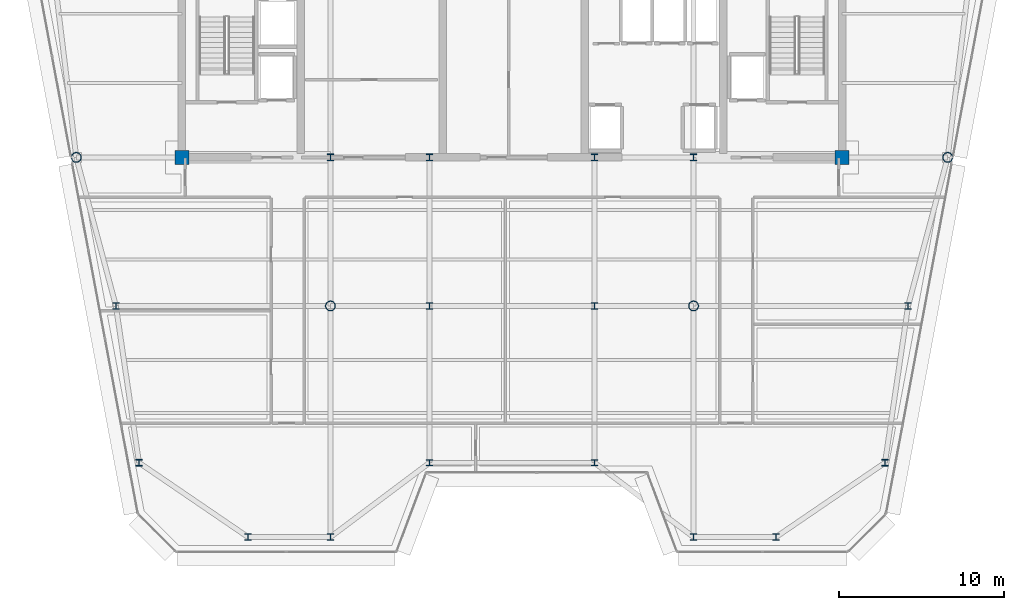
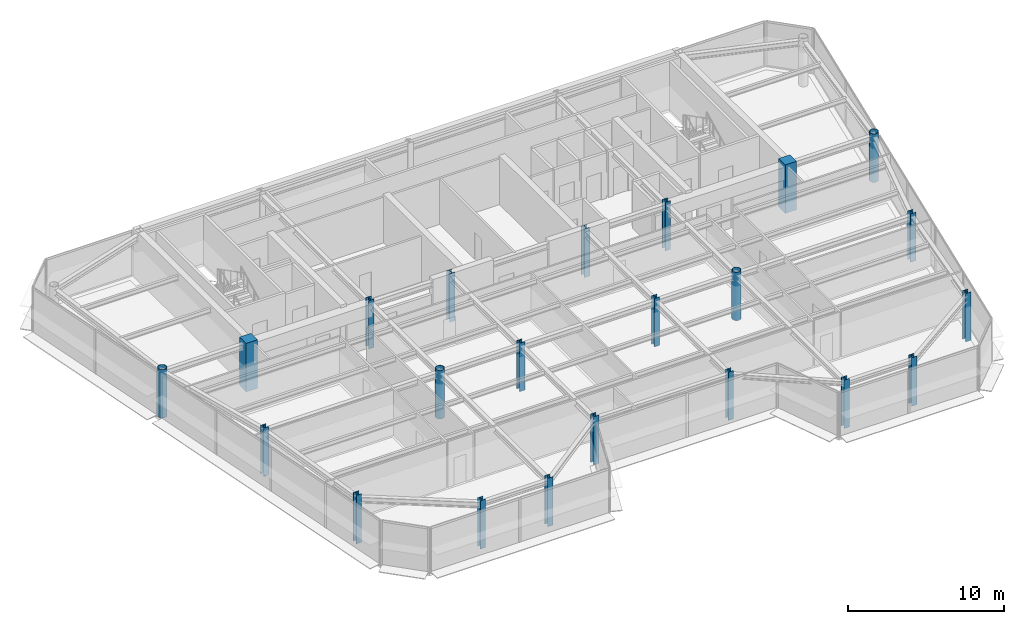
# One storey, part 1 of 20: 22 columns.
"""IFC4 building model written with IfcOpenShell, lengths in metres."""

from ifc_helpers import new_model, si_unit, direction, frame, origin, origin_2d, place, context, subcontext, project, spatial, rectangle, hollow_circle, i_section, extrude, source, transform, mapped, material, material_profile, profile_set, type_object, element, save


model = new_model("IFC4")

# Units and contexts
model_context = context("Model", 3, precision=1e-05, world=origin(), true_north=direction((0.0, 1.0)))
body_context = subcontext(model_context, "Body", "Model", "MODEL_VIEW")
ifc_project = project(units=[si_unit("LENGTHUNIT", "METRE"), si_unit("AREAUNIT", "SQUARE_METRE"), si_unit("VOLUMEUNIT", "CUBIC_METRE"), si_unit("PLANEANGLEUNIT", "RADIAN"), si_unit("MASSUNIT", "GRAM", prefix="KILO")], contexts=[model_context])

# Site, building, storey
site_placement = place(None, origin())
site = spatial("IfcSite", under=ifc_project, at=site_placement, CompositionType="ELEMENT")
building_placement = place(site_placement, origin())
building = spatial("IfcBuilding", under=site, at=building_placement, Name="Vaeldorn Concourse Tower", CompositionType="ELEMENT")
storey_placement = place(building_placement, frame((0.0, 0.0, 284.0)))
storey = spatial("IfcBuildingStorey", under=building, at=storey_placement, Name="L73", CompositionType="ELEMENT", Elevation=284.0)

# Columns
ifc_material_1 = material(Name="Concrete C50/60", Category="concrete")
ifc_material_profile_1 = material_profile(ifc_material_1, rectangle(XDim=0.85009765625, YDim=0.85009765625, at=origin_2d()), Name="RC 850x850")
ifc_profile_set_1 = profile_set([ifc_material_profile_1], Name="Concrete C50/60")
column_type_1 = type_object("IfcColumnType", Name="COL-RC850", PredefinedType="COLUMN", material=ifc_profile_set_1)
shared_shape_1 = source(origin(), body_context, "Body", "SweptSolid", [
    extrude(rectangle(XDim=0.85009765625, YDim=0.85009765625, at=origin_2d()), origin(), (0.0, 0.0, 1.0), 3.800048828125),
])
for number, where, z_axis, x_axis, name in (
    (1, (14.0, 36.5, 0.0), (0.0, 0.0, 1.0), (1.0, 0.0, 0.0), "Column C-FC1 L73"),
    (2, (54.0, 36.5, 0.0), (0.0, 0.0, 1.0), (1.0, 0.0, 0.0), "Column C-FC6 L73"),
):
    element("IfcColumn", number, at=place(storey_placement, frame(where, z_axis=z_axis, x_axis=x_axis)), inside=storey, type_object=column_type_1, Name=name, PredefinedType="COLUMN", context=body_context, shape_type="MappedRepresentation", body=[
        mapped(shared_shape_1, transform((0.0, 0.0, 0.0), scale=1.0)),
    ])
ifc_material_2 = material(Name="Steel S355", Category="steel")
ifc_material_profile_2 = material_profile(ifc_material_2, i_section(OverallWidth=0.406005859375, OverallDepth=0.416015625, WebThickness=0.02978515625, FlangeThickness=0.0419921875, FilletRadius=0.014892578125, at=origin_2d()), Name="HD 400x382")
ifc_profile_set_2 = profile_set([ifc_material_profile_2], Name="Steel S355")
column_type_2 = type_object("IfcColumnType", Name="COL-HD382", PredefinedType="COLUMN", material=ifc_profile_set_2)
shared_shape_2 = source(origin(), body_context, "Body", "SweptSolid", [
    extrude(i_section(OverallWidth=0.406005859375, OverallDepth=0.416015625, WebThickness=0.02978515625, FlangeThickness=0.0419921875, FilletRadius=0.014892578125, at=origin_2d()), origin(), (0.0, 0.0, 1.0), 3.800048828125),
])
for number, where, z_axis, x_axis, name in (
    (3, (23.0, 36.5, 0.0), (0.0, 0.0, 1.0), (1.0, 0.0, 0.0), "Column C-FC2 L73"),
    (4, (29.0, 36.5, 0.0), (0.0, 0.0, 1.0), (1.0, 0.0, 0.0), "Column C-FC3 L73"),
    (5, (39.0, 36.5, 0.0), (0.0, 0.0, 1.0), (1.0, 0.0, 0.0), "Column C-FC4 L73"),
    (6, (45.0, 36.5, 0.0), (0.0, 0.0, 1.0), (1.0, 0.0, 0.0), "Column C-FC5 L73"),
):
    element("IfcColumn", number, at=place(storey_placement, frame(where, z_axis=z_axis, x_axis=x_axis)), inside=storey, type_object=column_type_2, Name=name, PredefinedType="COLUMN", context=body_context, shape_type="MappedRepresentation", body=[
        mapped(shared_shape_2, transform((0.0, 0.0, 0.0), scale=1.0)),
    ])
ifc_material_profile_3 = material_profile(ifc_material_2, hollow_circle(Radius=0.304931640625, WallThickness=0.030029296875, at=origin_2d()), Name="CHS 610x30")
ifc_profile_set_3 = profile_set([ifc_material_profile_3], Name="Steel S355")
column_type_3 = type_object("IfcColumnType", Name="COL-CHS610", PredefinedType="COLUMN", material=ifc_profile_set_3)
shared_shape_3 = source(origin(), body_context, "Body", "SweptSolid", [
    extrude(hollow_circle(Radius=0.304931640625, WallThickness=0.030029296875, at=origin_2d()), origin(), (0.0, 0.0, 1.0), 3.800048828125),
])
for number, where, z_axis, x_axis, name in (
    (7, (7.60009765625, 36.5, 0.0), (0.0, 0.0, 1.0), (1.0, 0.0, 0.0), "Column C-NW2 L73"),
    (8, (60.39990234375, 36.5, 0.0), (0.0, 0.0, 1.0), (1.0, 0.0, 0.0), "Column C-NE2 L73"),
    (9, (23.0, 27.5, 0.0), (0.0, 0.0, 1.0), (1.0, 0.0, 0.0), "Column C-TW1 L73"),
    (10, (45.0, 27.5, 0.0), (0.0, 0.0, 1.0), (1.0, 0.0, 0.0), "Column C-TW4 L73"),
):
    element("IfcColumn", number, at=place(storey_placement, frame(where, z_axis=z_axis, x_axis=x_axis)), inside=storey, type_object=column_type_3, Name=name, PredefinedType="COLUMN", context=body_context, shape_type="MappedRepresentation", body=[
        mapped(shared_shape_3, transform((0.0, 0.0, 0.0), scale=1.0)),
    ])
ifc_material_profile_4 = material_profile(ifc_material_2, i_section(OverallWidth=0.40087890625, OverallDepth=0.39892578125, WebThickness=0.02490234375, FlangeThickness=0.034912109375, FilletRadius=0.014892578125, at=origin_2d()), Name="HD 400x314")
ifc_profile_set_4 = profile_set([ifc_material_profile_4], Name="Steel S355")
column_type_4 = type_object("IfcColumnType", Name="COL-HD314F", PredefinedType="COLUMN", material=ifc_profile_set_4)
shared_shape_4 = source(origin(), body_context, "Body", "SweptSolid", [
    extrude(i_section(OverallWidth=0.40087890625, OverallDepth=0.39892578125, WebThickness=0.02490234375, FlangeThickness=0.034912109375, FilletRadius=0.014892578125, at=origin_2d()), origin(), (0.0, 0.0, 1.0), 3.800048828125),
])
for number, where, z_axis, x_axis, name in (
    (11, (10.0, 27.5, 0.0), (0.0, 0.0, 1.0), (1.0, 0.0, 0.0), "Column C-FLW1 L73"),
    (12, (11.39990234375, 18.0, 0.0), (0.0, 0.0, 1.0), (1.0, 0.0, 0.0), "Column C-FLW2 L73"),
    (13, (58.0, 27.5, 0.0), (0.0, 0.0, 1.0), (1.0, 0.0, 0.0), "Column C-FLE1 L73"),
    (14, (56.60009765625, 18.0, 0.0), (0.0, 0.0, 1.0), (1.0, 0.0, 0.0), "Column C-FLE2 L73"),
):
    element("IfcColumn", number, at=place(storey_placement, frame(where, z_axis=z_axis, x_axis=x_axis)), inside=storey, type_object=column_type_4, Name=name, PredefinedType="COLUMN", context=body_context, shape_type="MappedRepresentation", body=[
        mapped(shared_shape_4, transform((0.0, 0.0, 0.0), scale=1.0)),
    ])
ifc_material_profile_5 = material_profile(ifc_material_2, i_section(OverallWidth=0.39794921875, OverallDepth=0.386962890625, WebThickness=0.0205078125, FlangeThickness=0.029052734375, FilletRadius=0.014892578125, at=origin_2d()), Name="HD 400x262")
ifc_profile_set_5 = profile_set([ifc_material_profile_5], Name="Steel S355")
column_type_5 = type_object("IfcColumnType", Name="COL-HD262T", PredefinedType="COLUMN", material=ifc_profile_set_5)
shared_shape_5 = source(origin(), body_context, "Body", "SweptSolid", [
    extrude(i_section(OverallWidth=0.39794921875, OverallDepth=0.386962890625, WebThickness=0.0205078125, FlangeThickness=0.029052734375, FilletRadius=0.014892578125, at=origin_2d()), origin(), (0.0, 0.0, 1.0), 3.800048828125),
])
for number, where, z_axis, x_axis, name in (
    (15, (29.0, 27.5, 0.0), (0.0, 0.0, 1.0), (1.0, 0.0, 0.0), "Column C-TW2 L73"),
    (16, (39.0, 27.5, 0.0), (0.0, 0.0, 1.0), (1.0, 0.0, 0.0), "Column C-TW3 L73"),
    (17, (18.0, 13.5, 0.0), (0.0, 0.0, 1.0), (1.0, 0.0, 0.0), "Column C-SF1 L73"),
    (18, (23.0, 13.5, 0.0), (0.0, 0.0, 1.0), (1.0, 0.0, 0.0), "Column C-SF2 L73"),
    (19, (29.0, 18.0, 0.0), (0.0, 0.0, 1.0), (1.0, 0.0, 0.0), "Column C-SF3 L73"),
    (20, (39.0, 18.0, 0.0), (0.0, 0.0, 1.0), (1.0, 0.0, 0.0), "Column C-SF4 L73"),
    (21, (45.0, 13.5, 0.0), (0.0, 0.0, 1.0), (1.0, 0.0, 0.0), "Column C-SF5 L73"),
    (22, (50.0, 13.5, 0.0), (0.0, 0.0, 1.0), (1.0, 0.0, 0.0), "Column C-SF6 L73"),
):
    element("IfcColumn", number, at=place(storey_placement, frame(where, z_axis=z_axis, x_axis=x_axis)), inside=storey, type_object=column_type_5, Name=name, PredefinedType="COLUMN", context=body_context, shape_type="MappedRepresentation", body=[
        mapped(shared_shape_5, transform((0.0, 0.0, 0.0), scale=1.0)),
    ])

save(model, "model.ifc")
